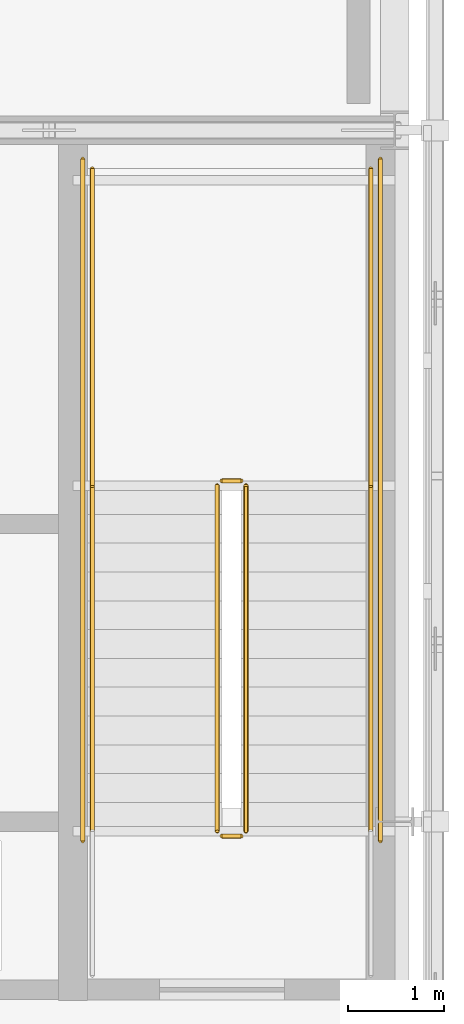
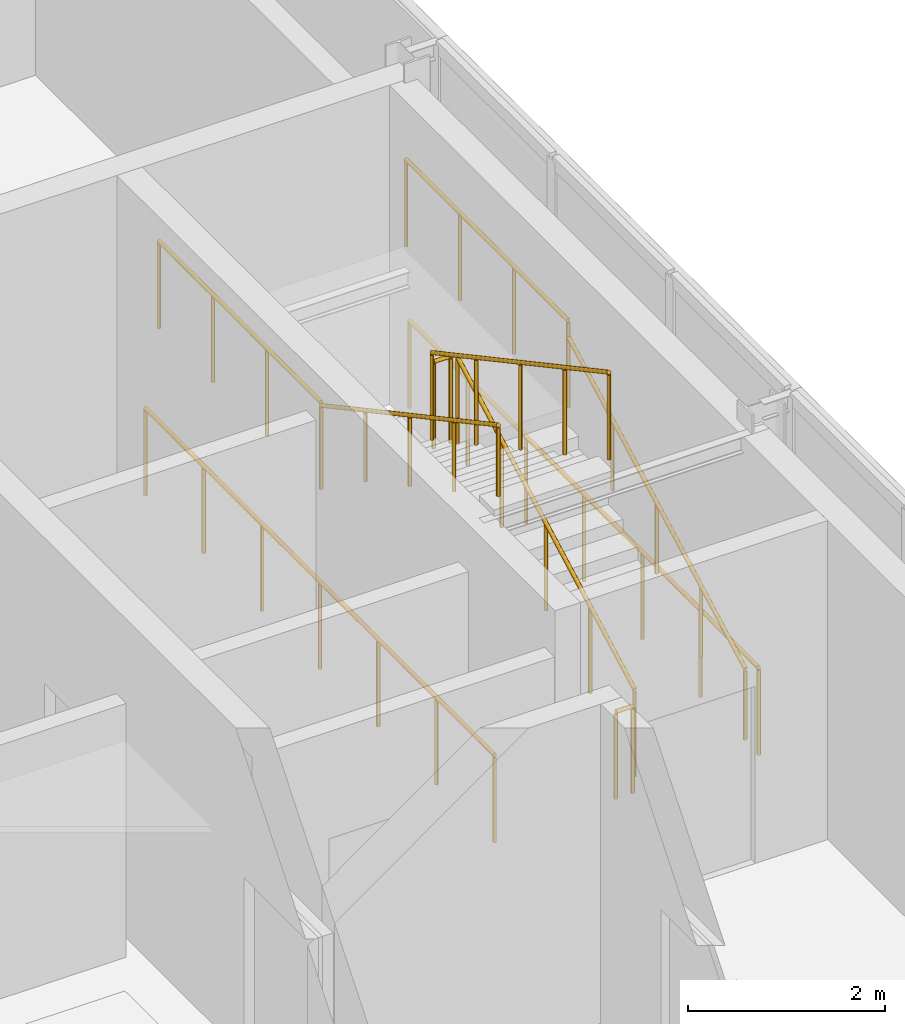
# One storey, part 125 of 126: 10 railings.
"""IFC4 building model written with IfcOpenShell, lengths in metres."""

from ifc_helpers import new_model, si_unit, direction, frame, origin, origin_2d, place, context, subcontext, project, spatial, circle, extrude, material, type_object, element, save


model = new_model("IFC4")

# Units and contexts
model_context = context("Model", 3, precision=1e-05, world=origin(), true_north=direction((0.0, 1.0)))
body_context = subcontext(model_context, "Body", "Model", "MODEL_VIEW")
ifc_project = project(units=[si_unit("LENGTHUNIT", "METRE"), si_unit("AREAUNIT", "SQUARE_METRE"), si_unit("VOLUMEUNIT", "CUBIC_METRE"), si_unit("PLANEANGLEUNIT", "RADIAN"), si_unit("MASSUNIT", "GRAM", prefix="KILO")], contexts=[model_context])

# Site, building, storey
site_placement = place(None, origin())
site = spatial("IfcSite", under=ifc_project, at=site_placement, CompositionType="ELEMENT")
building_placement = place(site_placement, origin())
building = spatial("IfcBuilding", under=site, at=building_placement, Name="Zlatovets Crest Museum", CompositionType="ELEMENT")
storey_placement = place(building_placement, frame((0.0, 0.0, 8.699951171875)))
storey = spatial("IfcBuildingStorey", under=building, at=storey_placement, Name="L02", CompositionType="ELEMENT", Elevation=8.699951171875)

# Railings
ifc_material_1 = material(Name="Painted steel safety guardrail", Category="steel")
railing_type_1 = type_object("IfcRailingType", Name="StairGuard_SG01", PredefinedType="GUARDRAIL", material=ifc_material_1)
railing_1_placement = place(storey_placement, frame((106.449951171875, 100.699951171875, 0.16162109375)))
element("IfcRailing", 1, at=railing_1_placement, inside=storey, type_object=railing_type_1, Name="L02 ST7 stair guard 1", PredefinedType="GUARDRAIL", context=body_context, shape_type="SweptSolid", body=[
    extrude(circle(Radius=0.02392578125, at=origin_2d()), frame((0.0, 0.0, 1.076171875), z_axis=(0.0, 0.880474934443, 0.474092701714), x_axis=(-1.0, 0.0, 0.0)), (0.0, 0.0, 1.0), 4.0888671875),
    extrude(circle(Radius=0.02099609375, at=origin_2d()), origin(), (0.0, 0.0, 1.0), 1.052001953125),
    extrude(circle(Radius=0.02099609375, at=origin_2d()), frame((0.0, 0.89990234375, 0.484619140625)), (0.0, 0.0, 1.0), 1.052001953125),
    extrude(circle(Radius=0.02099609375, at=origin_2d()), frame((0.0, 1.800048828125, 0.96923828125)), (0.0, 0.0, 1.0), 1.052001953125),
    extrude(circle(Radius=0.02099609375, at=origin_2d()), frame((0.0, 2.7001953125, 1.453857421875)), (0.0, 0.0, 1.0), 1.052001953125),
    extrude(circle(Radius=0.02099609375, at=origin_2d()), frame((0.0, 3.60009765625, 1.9384765625)), (0.0, 0.0, 1.0), 1.052001953125),
])
railing_2_placement = place(storey_placement, frame((106.39990234375, 104.35009765625, 2.10009765625)))
element("IfcRailing", 2, at=railing_2_placement, inside=storey, type_object=railing_type_1, Name="L02 ST7 stair guard 2", PredefinedType="GUARDRAIL", context=body_context, shape_type="SweptSolid", body=[
    extrude(circle(Radius=0.02392578125, at=origin_2d()), frame((0.0, 0.0, 1.076171875), z_axis=(-1.0, 0.0, 0.0), x_axis=(0.0, -1.0, 0.0)), (0.0, 0.0, 1.0), 0.199951171875),
    extrude(circle(Radius=0.02099609375, at=origin_2d()), origin(), (0.0, 0.0, 1.0), 1.052001953125),
    extrude(circle(Radius=0.02099609375, at=origin_2d()), frame((-0.199951171875, 0.0, 0.0)), (0.0, 0.0, 1.0), 1.052001953125),
])
for number, where, name in (
    (3, (107.75, 104.300048828125, 2.10009765625), "L02 ST7 stair guard 3"),
    (4, (104.85009765625, 104.300048828125, 2.10009765625), "L02 ST7 stair guard 4"),
):
    element("IfcRailing", number, at=place(storey_placement, frame(where)), inside=storey, type_object=railing_type_1, Name=name, PredefinedType="GUARDRAIL", context=body_context, shape_type="SweptSolid", body=[
        extrude(circle(Radius=0.02392578125, at=origin_2d()), frame((0.0, 0.0, 1.076171875), z_axis=(0.0, 1.0, 0.0), x_axis=(-1.0, 0.0, 0.0)), (0.0, 0.0, 1.0), 3.300048828125),
        extrude(circle(Radius=0.02099609375, at=origin_2d()), origin(), (0.0, 0.0, 1.0), 1.052001953125),
        extrude(circle(Radius=0.02099609375, at=origin_2d()), frame((0.0, 1.10009765625, 0.0)), (0.0, 0.0, 1.0), 1.052001953125),
        extrude(circle(Radius=0.02099609375, at=origin_2d()), frame((0.0, 2.199951171875, 0.0)), (0.0, 0.0, 1.0), 1.052001953125),
        extrude(circle(Radius=0.02099609375, at=origin_2d()), frame((0.0, 3.300048828125, 0.0)), (0.0, 0.0, 1.0), 1.052001953125),
    ])
railing_3_placement = place(storey_placement, frame((106.14990234375, 104.300048828125, 2.261474609375)))
element("IfcRailing", 5, at=railing_3_placement, inside=storey, type_object=railing_type_1, Name="L02 ST7 stair guard 5", PredefinedType="GUARDRAIL", context=body_context, shape_type="SweptSolid", body=[
    extrude(circle(Radius=0.02392578125, at=origin_2d()), frame((0.0, 0.0, 1.076171875), z_axis=(0.0, -0.880474934443, 0.474092701714), x_axis=(1.0, 0.0, 0.0)), (0.0, 0.0, 1.0), 4.0888671875),
    extrude(circle(Radius=0.02099609375, at=origin_2d()), origin(), (0.0, 0.0, 1.0), 1.052001953125),
    extrude(circle(Radius=0.02099609375, at=origin_2d()), frame((0.0, -0.89990234375, 0.484619140625)), (0.0, 0.0, 1.0), 1.052001953125),
    extrude(circle(Radius=0.02099609375, at=origin_2d()), frame((0.0, -1.800048828125, 0.96923828125)), (0.0, 0.0, 1.0), 1.052001953125),
    extrude(circle(Radius=0.02099609375, at=origin_2d()), frame((0.0, -2.7001953125, 1.453857421875)), (0.0, 0.0, 1.0), 1.052001953125),
    extrude(circle(Radius=0.02099609375, at=origin_2d()), frame((0.0, -3.60009765625, 1.9384765625)), (0.0, 0.0, 1.0), 1.052001953125),
])
railing_4_placement = place(storey_placement, frame((106.39990234375, 100.64990234375, 0.0)))
element("IfcRailing", 6, at=railing_4_placement, inside=storey, type_object=railing_type_1, Name="L02 ST7 stair guard 6", PredefinedType="GUARDRAIL", context=body_context, shape_type="SweptSolid", body=[
    extrude(circle(Radius=0.02392578125, at=origin_2d()), frame((0.0, 0.0, 1.076171875), z_axis=(-1.0, 0.0, 0.0), x_axis=(0.0, -1.0, 0.0)), (0.0, 0.0, 1.0), 0.199951171875),
    extrude(circle(Radius=0.02099609375, at=origin_2d()), origin(), (0.0, 0.0, 1.0), 1.052001953125),
    extrude(circle(Radius=0.02099609375, at=origin_2d()), frame((-0.199951171875, 0.0, 0.0)), (0.0, 0.0, 1.0), 1.052001953125),
])
for number, where, name in (
    (7, (107.85009765625, 100.60009765625, 0.0), "L02 ST7 stair guard 9"),
    (8, (104.75, 100.60009765625, 0.0), "L02 ST7 stair guard 10"),
):
    element("IfcRailing", number, at=place(storey_placement, frame(where)), inside=storey, type_object=railing_type_1, Name=name, PredefinedType="GUARDRAIL", context=body_context, shape_type="SweptSolid", body=[
        extrude(circle(Radius=0.02392578125, at=origin_2d()), frame((0.0, 0.0, 1.076171875), z_axis=(0.0, 1.0, 0.0), x_axis=(-1.0, 0.0, 0.0)), (0.0, 0.0, 1.0), 7.099853515625),
        extrude(circle(Radius=0.02099609375, at=origin_2d()), origin(), (0.0, 0.0, 1.0), 1.052001953125),
        extrude(circle(Radius=0.02099609375, at=origin_2d()), frame((0.0, 1.183349609375, 0.0)), (0.0, 0.0, 1.0), 1.052001953125),
        extrude(circle(Radius=0.02099609375, at=origin_2d()), frame((0.0, 2.36669921875, 0.0)), (0.0, 0.0, 1.0), 1.052001953125),
        extrude(circle(Radius=0.02099609375, at=origin_2d()), frame((0.0, 3.5498046875, 0.0)), (0.0, 0.0, 1.0), 1.052001953125),
        extrude(circle(Radius=0.02099609375, at=origin_2d()), frame((0.0, 4.733154296875, 0.0)), (0.0, 0.0, 1.0), 1.052001953125),
        extrude(circle(Radius=0.02099609375, at=origin_2d()), frame((0.0, 5.91650390625, 0.0)), (0.0, 0.0, 1.0), 1.052001953125),
        extrude(circle(Radius=0.02099609375, at=origin_2d()), frame((0.0, 7.099853515625, 0.0)), (0.0, 0.0, 1.0), 1.052001953125),
    ])
ifc_material_2 = material(Name="Brushed bronze stair handrail")
railing_type_2 = type_object("IfcRailingType", Name="StairHandrail_SH01", PredefinedType="HANDRAIL", material=ifc_material_2)
railing_5_placement = place(storey_placement, frame((107.75, 100.699951171875, 0.16162109375)))
element("IfcRailing", 9, at=railing_5_placement, inside=storey, type_object=railing_type_2, Name="L02 ST7 stair handrail 1", PredefinedType="HANDRAIL", context=body_context, shape_type="SweptSolid", body=[
    extrude(circle(Radius=0.02392578125, at=origin_2d()), frame((0.0, 0.0, 0.8759765625), z_axis=(0.0, 0.880474934443, 0.474092701714), x_axis=(-1.0, 0.0, 0.0)), (0.0, 0.0, 1.0), 4.0888671875),
    extrude(circle(Radius=0.02099609375, at=origin_2d()), origin(), (0.0, 0.0, 1.0), 0.851806640625),
    extrude(circle(Radius=0.02099609375, at=origin_2d()), frame((0.0, 0.89990234375, 0.484619140625)), (0.0, 0.0, 1.0), 0.851806640625),
    extrude(circle(Radius=0.02099609375, at=origin_2d()), frame((0.0, 1.800048828125, 0.96923828125)), (0.0, 0.0, 1.0), 0.851806640625),
    extrude(circle(Radius=0.02099609375, at=origin_2d()), frame((0.0, 2.7001953125, 1.453857421875)), (0.0, 0.0, 1.0), 0.851806640625),
    extrude(circle(Radius=0.02099609375, at=origin_2d()), frame((0.0, 3.60009765625, 1.9384765625)), (0.0, 0.0, 1.0), 0.851806640625),
])
railing_6_placement = place(storey_placement, frame((104.85009765625, 104.300048828125, 2.261474609375)))
element("IfcRailing", 10, at=railing_6_placement, inside=storey, type_object=railing_type_2, Name="L02 ST7 stair handrail 2", PredefinedType="HANDRAIL", context=body_context, shape_type="SweptSolid", body=[
    extrude(circle(Radius=0.02392578125, at=origin_2d()), frame((0.0, 0.0, 0.8759765625), z_axis=(0.0, -0.880474934443, 0.474092701714), x_axis=(1.0, 0.0, 0.0)), (0.0, 0.0, 1.0), 4.0888671875),
    extrude(circle(Radius=0.02099609375, at=origin_2d()), origin(), (0.0, 0.0, 1.0), 0.851806640625),
    extrude(circle(Radius=0.02099609375, at=origin_2d()), frame((0.0, -0.89990234375, 0.484619140625)), (0.0, 0.0, 1.0), 0.851806640625),
    extrude(circle(Radius=0.02099609375, at=origin_2d()), frame((0.0, -1.800048828125, 0.96923828125)), (0.0, 0.0, 1.0), 0.851806640625),
    extrude(circle(Radius=0.02099609375, at=origin_2d()), frame((0.0, -2.7001953125, 1.453857421875)), (0.0, 0.0, 1.0), 0.851806640625),
    extrude(circle(Radius=0.02099609375, at=origin_2d()), frame((0.0, -3.60009765625, 1.9384765625)), (0.0, 0.0, 1.0), 0.851806640625),
])

save(model, "model.ifc")
